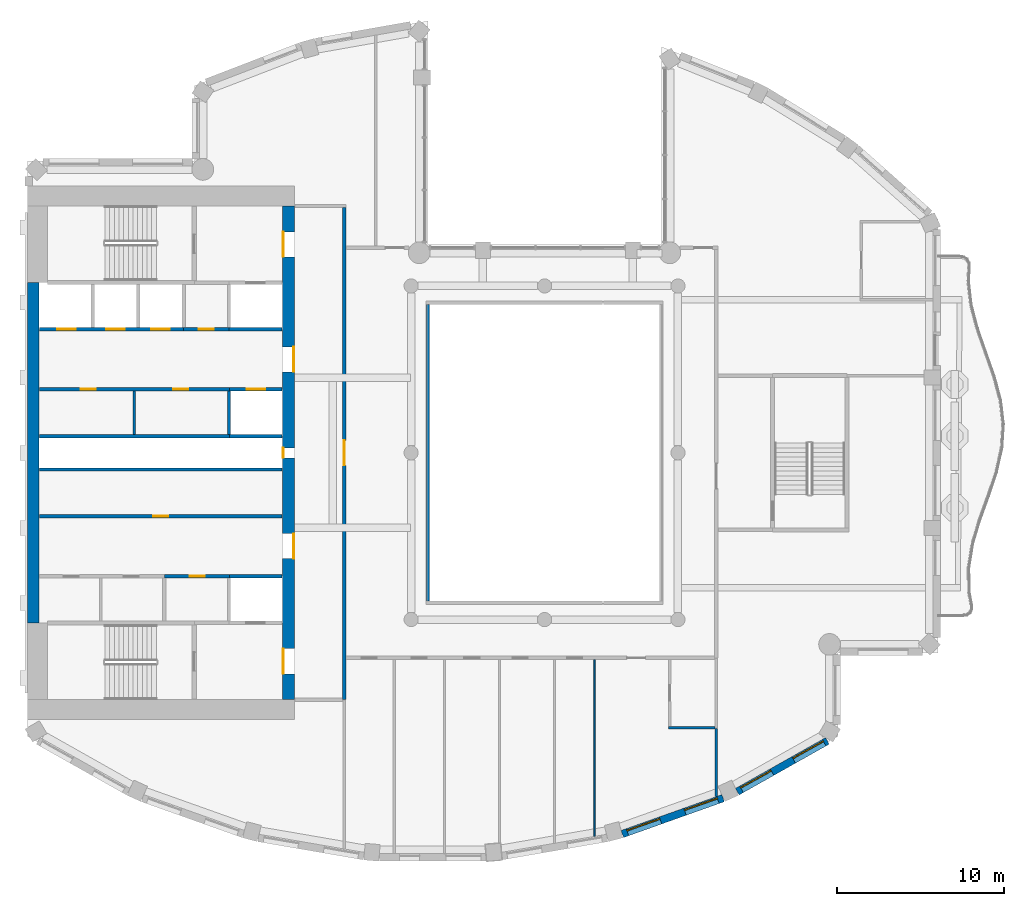
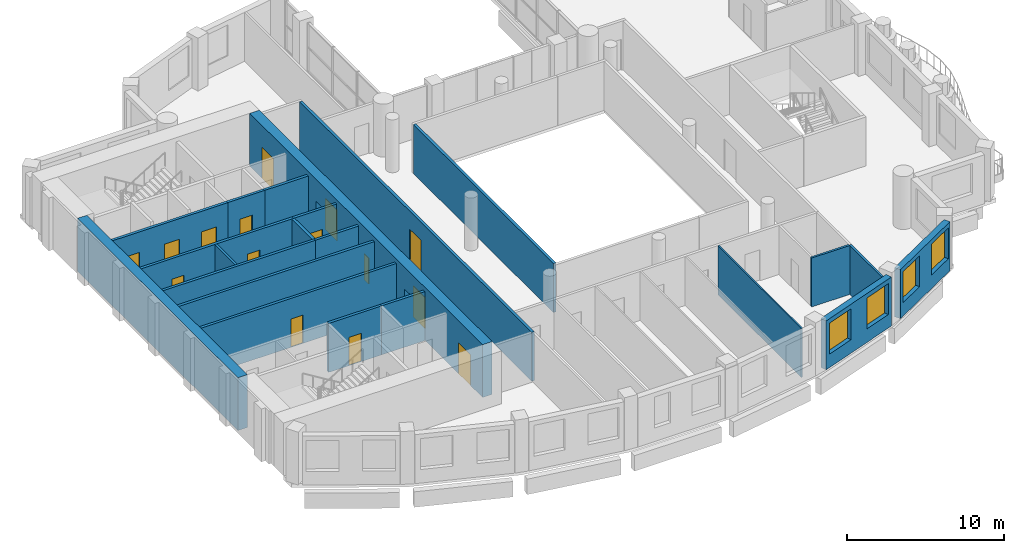
# One storey, part 5 of 14: 22 walls, 15 doors, 4 windows, 19 openings.
"""IFC4 building model written with IfcOpenShell, lengths in metres."""

from ifc_helpers import new_model, si_unit, direction, frame, frame_2d, origin, place, context, subcontext, project, spatial, rectangle, extrude, material, layer, layer_set, type_object, element, fill, save


model = new_model("IFC4")

# Units and contexts
model_context = context("Model", 3, precision=1e-05, world=origin(), true_north=direction((0.0, 1.0)))
body_context = subcontext(model_context, "Body", "Model", "MODEL_VIEW")
ifc_project = project(units=[si_unit("LENGTHUNIT", "METRE"), si_unit("AREAUNIT", "SQUARE_METRE"), si_unit("VOLUMEUNIT", "CUBIC_METRE"), si_unit("PLANEANGLEUNIT", "RADIAN"), si_unit("MASSUNIT", "GRAM", prefix="KILO")], contexts=[model_context])

# Site, building, storey
site_placement = place(None, origin())
site = spatial("IfcSite", under=ifc_project, at=site_placement, CompositionType="ELEMENT")
building_placement = place(site_placement, origin())
building = spatial("IfcBuilding", under=site, at=building_placement, Name="Cypress Arch Tower", CompositionType="ELEMENT")
storey_placement = place(building_placement, frame((0.0, 0.0, 304.89990234375)))
storey = spatial("IfcBuildingStorey", under=building, at=storey_placement, Name="L69", CompositionType="ELEMENT", Elevation=304.89990234375)

# Wall, openings, windows
ifc_material_1 = material(Name="Brick (red buff blend)", Category="masonry")
ifc_layer_1 = layer(ifc_material_1, 0.449951171875)
ifc_layer_set_1 = layer_set([ifc_layer_1], Name="Brick pier and spandrel wall BW450")
wall_type_1 = type_object("IfcWallType", Name="Brick pier and spandrel wall BW450", PredefinedType="SOLIDWALL", material=ifc_layer_set_1)
wall_1_placement = place(storey_placement, frame((5.66455078125, -22.859375, 0.0), z_axis=(0.0, 0.0, 1.0), x_axis=(0.942108340262, 0.335308626803, 0.0)))
wall_1 = element("IfcWall", 1, at=wall_1_placement, inside=storey, type_object=wall_type_1, Name="Brick wall L69 C13.0", PredefinedType="SOLIDWALL", context=body_context, shape_type="SweptSolid", body=[
    extrude(rectangle(XDim=6.41162109375, YDim=0.449951171875, at=frame_2d((3.205810546875, 0.0))), origin(), (0.0, 0.0, 1.0), 3.800048828125),
])
opening_1_placement = place(wall_1_placement, frame((0.3271484375, 0.0, 1.050048828125)))
opening_1 = element("IfcOpeningElement", 2, at=opening_1_placement, cuts=wall_1, Name="Opening W210O", PredefinedType="OPENING", context=body_context, shape_type="SweptSolid", body=[
    extrude(rectangle(XDim=2.10009765625, YDim=2.39990234375, at=frame_2d((1.050048828125, 1.199951171875))), frame((0.0, 0.23486328125, 0.0), z_axis=(0.0, -1.0, 0.0), x_axis=(1.0, 0.0, 0.0)), (0.0, 0.0, 1.0), 0.469970703125),
])
opening_2_placement = place(wall_1_placement, frame((3.984619140625, 0.0, 1.050048828125)))
opening_2 = element("IfcOpeningElement", 3, at=opening_2_placement, cuts=wall_1, Name="Opening W210O", PredefinedType="OPENING", context=body_context, shape_type="SweptSolid", body=[
    extrude(rectangle(XDim=2.10009765625, YDim=2.39990234375, at=frame_2d((1.050048828125, 1.199951171875))), frame((0.0, 0.23486328125, 0.0), z_axis=(0.0, -1.0, 0.0), x_axis=(1.0, 0.0, 0.0)), (0.0, 0.0, 1.0), 0.469970703125),
])
ifc_material_2 = material(Name="Anodised aluminium, bronze finish, clear low-emissivity double glazing", Category="aluminium")
window_type = type_object("IfcWindowType", Name="Window Office 2100x2400", PartitioningType="SINGLE_PANEL", PredefinedType="WINDOW", material=ifc_material_2)
window_1_placement = place(opening_1_placement, origin())
window_1 = element("IfcWindow", 4, at=window_1_placement, inside=storey, type_object=window_type, Name="Window L69 C13.0.1", OverallHeight=2.39990234375, OverallWidth=2.10009765625, PartitioningType="SINGLE_PANEL", PredefinedType="WINDOW", context=body_context, shape_type="SweptSolid", body=[
    extrude(rectangle(XDim=2.10009765625, YDim=2.39990234375, at=frame_2d((1.050048828125, 1.199951171875))), frame((0.0, 0.135009765625, 0.0), z_axis=(0.0, -1.0, 0.0), x_axis=(1.0, 0.0, 0.0)), (0.0, 0.0, 1.0), 0.06005859375),
])
fill(opening_1, window_1)
window_2_placement = place(opening_2_placement, origin())
window_2 = element("IfcWindow", 5, at=window_2_placement, inside=storey, type_object=window_type, Name="Window L69 C13.0.2", OverallHeight=2.39990234375, OverallWidth=2.10009765625, PartitioningType="SINGLE_PANEL", PredefinedType="WINDOW", context=body_context, shape_type="SweptSolid", body=[
    extrude(rectangle(XDim=2.10009765625, YDim=2.39990234375, at=frame_2d((1.050048828125, 1.199951171875))), frame((0.0, 0.135009765625, 0.0), z_axis=(0.0, -1.0, 0.0), x_axis=(1.0, 0.0, 0.0)), (0.0, 0.0, 1.0), 0.06005859375),
])
fill(opening_2, window_2)

wall_2_placement = place(storey_placement, frame((12.55908203125, -20.320068359375, 0.0), z_axis=(0.0, 0.0, 1.0), x_axis=(0.871065783524, 0.491166367714, 0.0)))
wall_2 = element("IfcWall", 6, at=wall_2_placement, inside=storey, type_object=wall_type_1, Name="Brick wall L69 C14.0", PredefinedType="SOLIDWALL", context=body_context, shape_type="SweptSolid", body=[
    extrude(rectangle(XDim=6.1962890625, YDim=0.449951171875, at=frame_2d((3.09814453125, 0.0))), origin(), (0.0, 0.0, 1.0), 3.800048828125),
])
opening_3_placement = place(wall_2_placement, frame((0.29052734375, 0.0, 1.050048828125)))
opening_3 = element("IfcOpeningElement", 7, at=opening_3_placement, cuts=wall_2, Name="Opening W210O", PredefinedType="OPENING", context=body_context, shape_type="SweptSolid", body=[
    extrude(rectangle(XDim=2.10009765625, YDim=2.39990234375, at=frame_2d((1.050048828125, 1.199951171875))), frame((0.0, 0.23486328125, 0.0), z_axis=(0.0, -1.0, 0.0), x_axis=(1.0, 0.0, 0.0)), (0.0, 0.0, 1.0), 0.469970703125),
])
opening_4_placement = place(wall_2_placement, frame((3.875244140625, 0.0, 1.050048828125)))
opening_4 = element("IfcOpeningElement", 8, at=opening_4_placement, cuts=wall_2, Name="Opening W210O", PredefinedType="OPENING", context=body_context, shape_type="SweptSolid", body=[
    extrude(rectangle(XDim=2.10009765625, YDim=2.39990234375, at=frame_2d((1.050048828125, 1.199951171875))), frame((0.0, 0.23486328125, 0.0), z_axis=(0.0, -1.0, 0.0), x_axis=(1.0, 0.0, 0.0)), (0.0, 0.0, 1.0), 0.469970703125),
])
window_3_placement = place(opening_3_placement, origin())
window_3 = element("IfcWindow", 9, at=window_3_placement, inside=storey, type_object=window_type, Name="Window L69 C14.0.1", OverallHeight=2.39990234375, OverallWidth=2.10009765625, PartitioningType="SINGLE_PANEL", PredefinedType="WINDOW", context=body_context, shape_type="SweptSolid", body=[
    extrude(rectangle(XDim=2.10009765625, YDim=2.39990234375, at=frame_2d((1.050048828125, 1.199951171875))), frame((0.0, 0.135009765625, 0.0), z_axis=(0.0, -1.0, 0.0), x_axis=(1.0, 0.0, 0.0)), (0.0, 0.0, 1.0), 0.06005859375),
])
fill(opening_3, window_3)
window_4_placement = place(opening_4_placement, origin())
window_4 = element("IfcWindow", 10, at=window_4_placement, inside=storey, type_object=window_type, Name="Window L69 C14.0.2", OverallHeight=2.39990234375, OverallWidth=2.10009765625, PartitioningType="SINGLE_PANEL", PredefinedType="WINDOW", context=body_context, shape_type="SweptSolid", body=[
    extrude(rectangle(XDim=2.10009765625, YDim=2.39990234375, at=frame_2d((1.050048828125, 1.199951171875))), frame((0.0, 0.135009765625, 0.0), z_axis=(0.0, -1.0, 0.0), x_axis=(1.0, 0.0, 0.0)), (0.0, 0.0, 1.0), 0.06005859375),
])
fill(opening_4, window_4)

# Wall, openings, doors
ifc_material_3 = material(Name="Concrete C60/75", Category="concrete")
ifc_layer_2 = layer(ifc_material_3, 0.699951171875)
ifc_layer_set_2 = layer_set([ifc_layer_2], Name="Core wall CW700 C60/75")
wall_type_2 = type_object("IfcWallType", Name="Core wall CW700 C60/75", PredefinedType="SHEAR", material=ifc_layer_set_2)
wall_3_placement = place(storey_placement, frame((-14.35009765625, -14.800048828125, 0.0), z_axis=(0.0, 0.0, 1.0), x_axis=(0.0, 1.0, 0.0)))
wall_3 = element("IfcWall", 11, at=wall_3_placement, inside=storey, type_object=wall_type_2, Name="Core wall", PredefinedType="SHEAR", context=body_context, shape_type="SweptSolid", body=[
    extrude(rectangle(XDim=29.60009765625, YDim=0.699951171875, at=frame_2d((14.800048828125, 0.0))), origin(), (0.0, 0.0, 1.0), 4.10009765625),
])
opening_5_placement = place(wall_3_placement, frame((1.550048828125, 0.0, 0.0)))
opening_5 = element("IfcOpeningElement", 12, at=opening_5_placement, cuts=wall_3, Name="Opening D07", PredefinedType="OPENING", context=body_context, shape_type="SweptSolid", body=[
    extrude(rectangle(XDim=1.5, YDim=2.39990234375, at=frame_2d((0.75, 1.199951171875))), frame((0.0, 0.35986328125, 0.0), z_axis=(0.0, -1.0, 0.0), x_axis=(1.0, 0.0, 0.0)), (0.0, 0.0, 1.0), 0.719970703125),
])
opening_6_placement = place(wall_3_placement, frame((26.550048828125, 0.0, 0.0)))
opening_6 = element("IfcOpeningElement", 13, at=opening_6_placement, cuts=wall_3, Name="Opening D07", PredefinedType="OPENING", context=body_context, shape_type="SweptSolid", body=[
    extrude(rectangle(XDim=1.5, YDim=2.39990234375, at=frame_2d((0.75, 1.199951171875))), frame((0.0, 0.35986328125, 0.0), z_axis=(0.0, -1.0, 0.0), x_axis=(1.0, 0.0, 0.0)), (0.0, 0.0, 1.0), 0.719970703125),
])
opening_7_placement = place(wall_3_placement, frame((8.449951171875, 0.0, 0.0)))
opening_7 = element("IfcOpeningElement", 14, at=opening_7_placement, cuts=wall_3, Name="Opening D07", PredefinedType="OPENING", context=body_context, shape_type="SweptSolid", body=[
    extrude(rectangle(XDim=1.5, YDim=2.39990234375, at=frame_2d((0.75, 1.199951171875))), frame((0.0, 0.35986328125, 0.0), z_axis=(0.0, -1.0, 0.0), x_axis=(1.0, 0.0, 0.0)), (0.0, 0.0, 1.0), 0.719970703125),
])
opening_8_placement = place(wall_3_placement, frame((19.64990234375, 0.0, 0.0)))
opening_8 = element("IfcOpeningElement", 15, at=opening_8_placement, cuts=wall_3, Name="Opening D07", PredefinedType="OPENING", context=body_context, shape_type="SweptSolid", body=[
    extrude(rectangle(XDim=1.5, YDim=2.39990234375, at=frame_2d((0.75, 1.199951171875))), frame((0.0, 0.35986328125, 0.0), z_axis=(0.0, -1.0, 0.0), x_axis=(1.0, 0.0, 0.0)), (0.0, 0.0, 1.0), 0.719970703125),
])
opening_9_placement = place(wall_3_placement, frame((14.5, 0.0, 0.0)))
opening_9 = element("IfcOpeningElement", 16, at=opening_9_placement, cuts=wall_3, Name="Opening D08", PredefinedType="OPENING", context=body_context, shape_type="SweptSolid", body=[
    extrude(rectangle(XDim=0.60009765625, YDim=2.0, at=frame_2d((0.300048828125, 1.0))), frame((0.0, 0.35986328125, 0.0), z_axis=(0.0, -1.0, 0.0), x_axis=(1.0, 0.0, 0.0)), (0.0, 0.0, 1.0), 0.719970703125),
])
ifc_material_4 = material(Name="Steel framed glazed door, fire resisting", Category="steel")
door_type_1 = type_object("IfcDoorType", Name="Lobby door D07 1500x2400", OperationType="DOUBLE_DOOR_SINGLE_SWING", PredefinedType="DOOR", material=ifc_material_4)
door_1_placement = place(opening_5_placement, origin())
door_1 = element("IfcDoor", 17, at=door_1_placement, inside=storey, type_object=door_type_1, Name="Lobby door", OperationType="DOUBLE_DOOR_SINGLE_SWING", OverallHeight=2.39990234375, OverallWidth=1.5, PredefinedType="DOOR", context=body_context, shape_type="SweptSolid", body=[
    extrude(rectangle(XDim=1.5, YDim=2.39990234375, at=frame_2d((0.75, 1.199951171875))), frame((0.0, 0.34521484375, 0.0), z_axis=(0.0, -1.0, 0.0), x_axis=(1.0, 0.0, 0.0)), (0.0, 0.0, 1.0), 0.050048828125),
])
fill(opening_5, door_1)
door_2_placement = place(opening_6_placement, origin())
door_2 = element("IfcDoor", 18, at=door_2_placement, inside=storey, type_object=door_type_1, Name="Lobby door", OperationType="DOUBLE_DOOR_SINGLE_SWING", OverallHeight=2.39990234375, OverallWidth=1.5, PredefinedType="DOOR", context=body_context, shape_type="SweptSolid", body=[
    extrude(rectangle(XDim=1.5, YDim=2.39990234375, at=frame_2d((0.75, 1.199951171875))), frame((0.0, 0.34521484375, 0.0), z_axis=(0.0, -1.0, 0.0), x_axis=(1.0, 0.0, 0.0)), (0.0, 0.0, 1.0), 0.050048828125),
])
fill(opening_6, door_2)
door_3_placement = place(opening_7_placement, origin())
door_3 = element("IfcDoor", 19, at=door_3_placement, inside=storey, type_object=door_type_1, Name="Lobby door", OperationType="DOUBLE_DOOR_SINGLE_SWING", OverallHeight=2.39990234375, OverallWidth=1.5, PredefinedType="DOOR", context=body_context, shape_type="SweptSolid", body=[
    extrude(rectangle(XDim=1.5, YDim=2.39990234375, at=frame_2d((0.75, 1.199951171875))), frame((0.0, -0.294921875, 0.0), z_axis=(0.0, -1.0, 0.0), x_axis=(1.0, 0.0, 0.0)), (0.0, 0.0, 1.0), 0.050048828125),
])
fill(opening_7, door_3)
door_4_placement = place(opening_8_placement, origin())
door_4 = element("IfcDoor", 20, at=door_4_placement, inside=storey, type_object=door_type_1, Name="Lobby door", OperationType="DOUBLE_DOOR_SINGLE_SWING", OverallHeight=2.39990234375, OverallWidth=1.5, PredefinedType="DOOR", context=body_context, shape_type="SweptSolid", body=[
    extrude(rectangle(XDim=1.5, YDim=2.39990234375, at=frame_2d((0.75, 1.199951171875))), frame((0.0, -0.294921875, 0.0), z_axis=(0.0, -1.0, 0.0), x_axis=(1.0, 0.0, 0.0)), (0.0, 0.0, 1.0), 0.050048828125),
])
fill(opening_8, door_4)
ifc_material_5 = material(Name="Steel access door, fire resisting", Category="steel")
door_type_2 = type_object("IfcDoorType", Name="Riser access door D08 600x2000", OperationType="SINGLE_SWING_LEFT", PredefinedType="DOOR", material=ifc_material_5)
door_5_placement = place(opening_9_placement, origin())
door_5 = element("IfcDoor", 21, at=door_5_placement, inside=storey, type_object=door_type_2, Name="Riser access door", OperationType="SINGLE_SWING_RIGHT", OverallHeight=2.0, OverallWidth=0.60009765625, PredefinedType="DOOR", context=body_context, shape_type="SweptSolid", body=[
    extrude(rectangle(XDim=0.60009765625, YDim=2.0, at=frame_2d((0.300048828125, 1.0))), frame((0.0, 0.34521484375, 0.0), z_axis=(0.0, -1.0, 0.0), x_axis=(1.0, 0.0, 0.0)), (0.0, 0.0, 1.0), 0.050048828125),
])
fill(opening_9, door_5)

# Wall
wall_4_placement = place(storey_placement, frame((-29.64990234375, -10.199951171875, 0.0), z_axis=(0.0, 0.0, 1.0), x_axis=(0.0, 1.0, 0.0)))
element("IfcWall", 22, at=wall_4_placement, inside=storey, type_object=wall_type_2, Name="Core wall", PredefinedType="SHEAR", context=body_context, shape_type="SweptSolid", body=[
    extrude(rectangle(XDim=20.39990234375, YDim=0.699951171875, at=frame_2d((10.199951171875, 0.0))), origin(), (0.0, 0.0, 1.0), 4.10009765625),
])

# Wall, opening, door
ifc_material_6 = material(Name="Concrete blockwork, plastered, rated", Category="masonry")
ifc_layer_3 = layer(ifc_material_6, 0.199951171875)
ifc_layer_set_3 = layer_set([ifc_layer_3], Name="Corridor wall FW200")
wall_type_3 = type_object("IfcWallType", Name="Corridor wall FW200", PredefinedType="PARTITIONING", material=ifc_layer_set_3)
wall_5_placement = place(storey_placement, frame((-29.27001953125, -3.800048828125, 0.0), z_axis=(0.0, 0.0, 1.0), x_axis=(1.0, 0.0, 0.0)))
wall_5 = element("IfcWall", 23, at=wall_5_placement, inside=storey, type_object=wall_type_3, Name="Corridor wall", PredefinedType="PARTITIONING", context=body_context, shape_type="SweptSolid", body=[
    extrude(rectangle(XDim=14.5400390625, YDim=0.199951171875, at=frame_2d((7.27001953125, 0.0))), origin(), (0.0, 0.0, 1.0), 3.800048828125),
])
opening_10_placement = place(wall_5_placement, frame((6.800048828125, 0.0, 0.0)))
opening_10 = element("IfcOpeningElement", 24, at=opening_10_placement, cuts=wall_5, Name="Opening D05", PredefinedType="OPENING", context=body_context, shape_type="SweptSolid", body=[
    extrude(rectangle(XDim=0.89990234375, YDim=2.199951171875, at=frame_2d((0.449951171875, 1.10009765625))), frame((0.0, 0.10986328125, 0.0), z_axis=(0.0, -1.0, 0.0), x_axis=(1.0, 0.0, 0.0)), (0.0, 0.0, 1.0), 0.219970703125),
])
ifc_material_7 = material(Name="Timber flush door", Category="wood")
door_type_3 = type_object("IfcDoorType", Name="Service door D05 900x2200", OperationType="SINGLE_SWING_LEFT", PredefinedType="DOOR", material=ifc_material_7)
door_6_placement = place(opening_10_placement, origin())
door_6 = element("IfcDoor", 25, at=door_6_placement, inside=storey, type_object=door_type_3, Name="Service door", OperationType="SINGLE_SWING_LEFT", OverallHeight=2.199951171875, OverallWidth=0.89990234375, PredefinedType="DOOR", context=body_context, shape_type="SweptSolid", body=[
    extrude(rectangle(XDim=0.89990234375, YDim=2.199951171875, at=frame_2d((0.449951171875, 1.10009765625))), frame((0.0, 0.02490234375, 0.0), z_axis=(0.0, -1.0, 0.0), x_axis=(1.0, 0.0, 0.0)), (0.0, 0.0, 1.0), 0.050048828125),
])
fill(opening_10, door_6)

# Wall, openings, doors
wall_6_placement = place(storey_placement, frame((-29.27001953125, 3.800048828125, 0.0), z_axis=(0.0, 0.0, 1.0), x_axis=(1.0, 0.0, 0.0)))
wall_6 = element("IfcWall", 26, at=wall_6_placement, inside=storey, type_object=wall_type_3, Name="Corridor wall", PredefinedType="PARTITIONING", context=body_context, shape_type="SweptSolid", body=[
    extrude(rectangle(XDim=11.3701171875, YDim=0.199951171875, at=frame_2d((5.68505859375, 0.0))), origin(), (0.0, 0.0, 1.0), 3.800048828125),
])
opening_11_placement = place(wall_6_placement, frame((2.449951171875, 0.0, 0.0)))
opening_11 = element("IfcOpeningElement", 27, at=opening_11_placement, cuts=wall_6, Name="Opening D05", PredefinedType="OPENING", context=body_context, shape_type="SweptSolid", body=[
    extrude(rectangle(XDim=0.89990234375, YDim=2.199951171875, at=frame_2d((0.449951171875, 1.10009765625))), frame((0.0, 0.10986328125, 0.0), z_axis=(0.0, -1.0, 0.0), x_axis=(1.0, 0.0, 0.0)), (0.0, 0.0, 1.0), 0.219970703125),
])
opening_12_placement = place(wall_6_placement, frame((8.0, 0.0, 0.0)))
opening_12 = element("IfcOpeningElement", 28, at=opening_12_placement, cuts=wall_6, Name="Opening D05", PredefinedType="OPENING", context=body_context, shape_type="SweptSolid", body=[
    extrude(rectangle(XDim=0.89990234375, YDim=2.199951171875, at=frame_2d((0.449951171875, 1.10009765625))), frame((0.0, 0.10986328125, 0.0), z_axis=(0.0, -1.0, 0.0), x_axis=(1.0, 0.0, 0.0)), (0.0, 0.0, 1.0), 0.219970703125),
])
door_7_placement = place(opening_11_placement, origin())
door_7 = element("IfcDoor", 29, at=door_7_placement, inside=storey, type_object=door_type_3, Name="Service door", OperationType="SINGLE_SWING_LEFT", OverallHeight=2.199951171875, OverallWidth=0.89990234375, PredefinedType="DOOR", context=body_context, shape_type="SweptSolid", body=[
    extrude(rectangle(XDim=0.89990234375, YDim=2.199951171875, at=frame_2d((0.449951171875, 1.10009765625))), frame((0.0, 0.02490234375, 0.0), z_axis=(0.0, -1.0, 0.0), x_axis=(1.0, 0.0, 0.0)), (0.0, 0.0, 1.0), 0.050048828125),
])
fill(opening_11, door_7)
door_8_placement = place(opening_12_placement, origin())
door_8 = element("IfcDoor", 30, at=door_8_placement, inside=storey, type_object=door_type_3, Name="Service door", OperationType="SINGLE_SWING_RIGHT", OverallHeight=2.199951171875, OverallWidth=0.89990234375, PredefinedType="DOOR", context=body_context, shape_type="SweptSolid", body=[
    extrude(rectangle(XDim=0.89990234375, YDim=2.199951171875, at=frame_2d((0.449951171875, 1.10009765625))), frame((0.0, 0.02490234375, 0.0), z_axis=(0.0, -1.0, 0.0), x_axis=(1.0, 0.0, 0.0)), (0.0, 0.0, 1.0), 0.050048828125),
])
fill(opening_12, door_8)

# Wall, opening, door
wall_7_placement = place(storey_placement, frame((-20.639892578125, 7.39990234375, 0.0), z_axis=(0.0, 0.0, 1.0), x_axis=(1.0, 0.0, 0.0)))
wall_7 = element("IfcWall", 31, at=wall_7_placement, inside=storey, type_object=wall_type_3, Name="Corridor wall", PredefinedType="PARTITIONING", context=body_context, shape_type="SweptSolid", body=[
    extrude(rectangle(XDim=2.719970703125, YDim=0.199951171875, at=frame_2d((1.35986328125, 0.0))), origin(), (0.0, 0.0, 1.0), 3.800048828125),
])
opening_13_placement = place(wall_7_placement, frame((0.89990234375, 0.0, 0.0)))
opening_13 = element("IfcOpeningElement", 32, at=opening_13_placement, cuts=wall_7, Name="Opening D05", PredefinedType="OPENING", context=body_context, shape_type="SweptSolid", body=[
    extrude(rectangle(XDim=0.89990234375, YDim=2.199951171875, at=frame_2d((0.449951171875, 1.10009765625))), frame((0.0, 0.10986328125, 0.0), z_axis=(0.0, -1.0, 0.0), x_axis=(1.0, 0.0, 0.0)), (0.0, 0.0, 1.0), 0.219970703125),
])
door_9_placement = place(opening_13_placement, origin())
door_9 = element("IfcDoor", 33, at=door_9_placement, inside=storey, type_object=door_type_3, Name="Service door", OperationType="SINGLE_SWING_LEFT", OverallHeight=2.199951171875, OverallWidth=0.89990234375, PredefinedType="DOOR", context=body_context, shape_type="SweptSolid", body=[
    extrude(rectangle(XDim=0.89990234375, YDim=2.199951171875, at=frame_2d((0.449951171875, 1.10009765625))), frame((0.0, 0.02490234375, 0.0), z_axis=(0.0, -1.0, 0.0), x_axis=(1.0, 0.0, 0.0)), (0.0, 0.0, 1.0), 0.050048828125),
])
fill(opening_13, door_9)

wall_8_placement = place(storey_placement, frame((-11.0, -14.800048828125, 0.0), z_axis=(0.0, 0.0, 1.0), x_axis=(0.0, 1.0, 0.0)))
wall_8 = element("IfcWall", 34, at=wall_8_placement, inside=storey, type_object=wall_type_3, Name="Corridor wall", PredefinedType="PARTITIONING", context=body_context, shape_type="SweptSolid", body=[
    extrude(rectangle(XDim=29.5, YDim=0.199951171875, at=frame_2d((14.75, 0.0))), origin(), (0.0, 0.0, 1.0), 3.800048828125),
])
opening_14_placement = place(wall_8_placement, frame((14.050048828125, 0.0, 0.0)))
opening_14 = element("IfcOpeningElement", 35, at=opening_14_placement, cuts=wall_8, Name="Opening D07", PredefinedType="OPENING", context=body_context, shape_type="SweptSolid", body=[
    extrude(rectangle(XDim=1.5, YDim=2.39990234375, at=frame_2d((0.75, 1.199951171875))), frame((0.0, 0.10986328125, 0.0), z_axis=(0.0, -1.0, 0.0), x_axis=(1.0, 0.0, 0.0)), (0.0, 0.0, 1.0), 0.219970703125),
])
door_10_placement = place(opening_14_placement, origin())
door_10 = element("IfcDoor", 36, at=door_10_placement, inside=storey, type_object=door_type_1, Name="Lobby door", OperationType="DOUBLE_DOOR_SINGLE_SWING", OverallHeight=2.39990234375, OverallWidth=1.5, PredefinedType="DOOR", context=body_context, shape_type="SweptSolid", body=[
    extrude(rectangle(XDim=1.5, YDim=2.39990234375, at=frame_2d((0.75, 1.199951171875))), frame((0.0, 0.02490234375, 0.0), z_axis=(0.0, -1.0, 0.0), x_axis=(1.0, 0.0, 0.0)), (0.0, 0.0, 1.0), 0.050048828125),
])
fill(opening_14, door_10)

# Walls
wall_9_placement = place(storey_placement, frame((-6.0, -8.89990234375, 0.0), z_axis=(0.0, 0.0, 1.0), x_axis=(0.0, 1.0, 0.0)))
element("IfcWall", 37, at=wall_9_placement, inside=storey, type_object=wall_type_3, Name="Corridor wall", PredefinedType="PARTITIONING", context=body_context, shape_type="SweptSolid", body=[
    extrude(rectangle(XDim=17.7998046875, YDim=0.199951171875, at=frame_2d((8.89990234375, 0.0))), origin(), (0.0, 0.0, 1.0), 3.800048828125),
])
ifc_material_8 = material(Name="Blockwork, plastered both sides", Category="masonry")
ifc_layer_4 = layer(ifc_material_8, 0.14990234375)
ifc_layer_set_4 = layer_set([ifc_layer_4], Name="Partition PW150")
wall_type_4 = type_object("IfcWallType", Name="Partition PW150", PredefinedType="PARTITIONING", material=ifc_layer_set_4)
wall_10_placement = place(storey_placement, frame((-23.60009765625, 1.10009765625, 0.0), z_axis=(0.0, 0.0, 1.0), x_axis=(0.0, 1.0, 0.0)))
element("IfcWall", 38, at=wall_10_placement, inside=storey, type_object=wall_type_4, Name="Partition", PredefinedType="PARTITIONING", context=body_context, shape_type="SweptSolid", body=[
    extrude(rectangle(XDim=2.599853515625, YDim=0.14990234375, at=frame_2d((1.2998046875, 0.0))), origin(), (0.0, 0.0, 1.0), 3.800048828125),
])
wall_11_placement = place(storey_placement, frame((8.427001953125, -16.5, 0.0), z_axis=(0.0, 0.0, 1.0), x_axis=(1.0, 0.0, 0.0)))
element("IfcWall", 39, at=wall_11_placement, inside=storey, type_object=wall_type_4, Name="Partition", PredefinedType="PARTITIONING", context=body_context, shape_type="SweptSolid", body=[
    extrude(rectangle(XDim=2.798095703125, YDim=0.14990234375, at=frame_2d((1.39892578125, 0.0))), origin(), (0.0, 0.0, 1.0), 3.800048828125),
])
wall_12_placement = place(storey_placement, frame((11.300048828125, -20.61474609375, 0.0), z_axis=(0.0, 0.0, 1.0), x_axis=(0.0, 1.0, 0.0)))
element("IfcWall", 40, at=wall_12_placement, inside=storey, type_object=wall_type_4, Name="Partition", PredefinedType="PARTITIONING", context=body_context, shape_type="SweptSolid", body=[
    extrude(rectangle(XDim=4.0947265625, YDim=0.14990234375, at=frame_2d((2.04736328125, 0.0))), origin(), (0.0, 0.0, 1.0), 3.800048828125),
])
ifc_material_9 = material(Name="Reinforced blockwork, plastered, rated", Category="masonry")
ifc_layer_5 = layer(ifc_material_9, 0.199951171875)
ifc_layer_set_5 = layer_set([ifc_layer_5], Name="Plant and riser wall PL200")
wall_type_5 = type_object("IfcWallType", Name="Plant and riser wall PL200", PredefinedType="PARTITIONING", material=ifc_layer_set_5)
wall_13_placement = place(storey_placement, frame((-29.27001953125, -1.0, 0.0), z_axis=(0.0, 0.0, 1.0), x_axis=(1.0, 0.0, 0.0)))
element("IfcWall", 41, at=wall_13_placement, inside=storey, type_object=wall_type_5, Name="Plant and riser wall", PredefinedType="PARTITIONING", context=body_context, shape_type="SweptSolid", body=[
    extrude(rectangle(XDim=14.5400390625, YDim=0.199951171875, at=frame_2d((7.27001953125, 0.0))), origin(), (0.0, 0.0, 1.0), 3.800048828125),
])
wall_14_placement = place(storey_placement, frame((-29.27001953125, 1.0, 0.0), z_axis=(0.0, 0.0, 1.0), x_axis=(1.0, 0.0, 0.0)))
element("IfcWall", 42, at=wall_14_placement, inside=storey, type_object=wall_type_5, Name="Plant and riser wall", PredefinedType="PARTITIONING", context=body_context, shape_type="SweptSolid", body=[
    extrude(rectangle(XDim=11.3701171875, YDim=0.199951171875, at=frame_2d((5.68505859375, 0.0))), origin(), (0.0, 0.0, 1.0), 3.800048828125),
])

# Wall, opening, door
wall_15_placement = place(storey_placement, frame((-21.780029296875, -7.39990234375, 0.0), z_axis=(0.0, 0.0, 1.0), x_axis=(1.0, 0.0, 0.0)))
wall_15 = element("IfcWall", 43, at=wall_15_placement, inside=storey, type_object=wall_type_5, Name="Plant and riser wall", PredefinedType="PARTITIONING", context=body_context, shape_type="SweptSolid", body=[
    extrude(rectangle(XDim=3.880126953125, YDim=0.199951171875, at=frame_2d((1.93994140625, 0.0))), origin(), (0.0, 0.0, 1.0), 3.800048828125),
])
opening_15_placement = place(wall_15_placement, frame((1.5, 0.0, 0.0)))
opening_15 = element("IfcOpeningElement", 44, at=opening_15_placement, cuts=wall_15, Name="Opening D05", PredefinedType="OPENING", context=body_context, shape_type="SweptSolid", body=[
    extrude(rectangle(XDim=0.89990234375, YDim=2.199951171875, at=frame_2d((0.449951171875, 1.10009765625))), frame((0.0, 0.10986328125, 0.0), z_axis=(0.0, -1.0, 0.0), x_axis=(1.0, 0.0, 0.0)), (0.0, 0.0, 1.0), 0.219970703125),
])
door_11_placement = place(opening_15_placement, origin())
door_11 = element("IfcDoor", 45, at=door_11_placement, inside=storey, type_object=door_type_3, Name="Service door", OperationType="SINGLE_SWING_LEFT", OverallHeight=2.199951171875, OverallWidth=0.89990234375, PredefinedType="DOOR", context=body_context, shape_type="SweptSolid", body=[
    extrude(rectangle(XDim=0.89990234375, YDim=2.199951171875, at=frame_2d((0.449951171875, 1.10009765625))), frame((0.0, 0.02490234375, 0.0), z_axis=(0.0, -1.0, 0.0), x_axis=(1.0, 0.0, 0.0)), (0.0, 0.0, 1.0), 0.050048828125),
])
fill(opening_15, door_11)

# Wall, openings, doors
ifc_material_10 = material(Name="Concrete C50/60", Category="concrete")
ifc_layer_6 = layer(ifc_material_10, 0.199951171875)
ifc_layer_set_6 = layer_set([ifc_layer_6], Name="Shaft wall SH200")
wall_type_6 = type_object("IfcWallType", Name="Shaft wall SH200", PredefinedType="SHEAR", material=ifc_layer_set_6)
wall_16_placement = place(storey_placement, frame((-29.27001953125, 7.39990234375, 0.0), z_axis=(0.0, 0.0, 1.0), x_axis=(1.0, 0.0, 0.0)))
wall_16 = element("IfcWall", 46, at=wall_16_placement, inside=storey, type_object=wall_type_6, Name="Shaft wall", PredefinedType="SHEAR", context=body_context, shape_type="SweptSolid", body=[
    extrude(rectangle(XDim=8.630126953125, YDim=0.199951171875, at=frame_2d((4.31494140625, 0.0))), origin(), (0.0, 0.0, 1.0), 3.800048828125),
])
opening_16_placement = place(wall_16_placement, frame((1.050048828125, 0.0, 0.0)))
opening_16 = element("IfcOpeningElement", 47, at=opening_16_placement, cuts=wall_16, Name="Opening LD-HR5", PredefinedType="OPENING", context=body_context, shape_type="SweptSolid", body=[
    extrude(rectangle(XDim=1.10009765625, YDim=2.199951171875, at=frame_2d((0.550048828125, 1.10009765625))), frame((0.0, 0.10986328125, 0.0), z_axis=(0.0, -1.0, 0.0), x_axis=(1.0, 0.0, 0.0)), (0.0, 0.0, 1.0), 0.219970703125),
])
opening_17_placement = place(wall_16_placement, frame((4.0, 0.0, 0.0)))
opening_17 = element("IfcOpeningElement", 48, at=opening_17_placement, cuts=wall_16, Name="Opening LD-HR6", PredefinedType="OPENING", context=body_context, shape_type="SweptSolid", body=[
    extrude(rectangle(XDim=1.10009765625, YDim=2.199951171875, at=frame_2d((0.550048828125, 1.10009765625))), frame((0.0, 0.10986328125, 0.0), z_axis=(0.0, -1.0, 0.0), x_axis=(1.0, 0.0, 0.0)), (0.0, 0.0, 1.0), 0.219970703125),
])
opening_18_placement = place(wall_16_placement, frame((6.699951171875, 0.0, 0.0)))
opening_18 = element("IfcOpeningElement", 49, at=opening_18_placement, cuts=wall_16, Name="Opening LD-HR7", PredefinedType="OPENING", context=body_context, shape_type="SweptSolid", body=[
    extrude(rectangle(XDim=1.10009765625, YDim=2.199951171875, at=frame_2d((0.550048828125, 1.10009765625))), frame((0.0, 0.10986328125, 0.0), z_axis=(0.0, -1.0, 0.0), x_axis=(1.0, 0.0, 0.0)), (0.0, 0.0, 1.0), 0.219970703125),
])
ifc_material_11 = material(Name="Stainless steel centre-opening landing door, rated", Category="steel")
door_type_4 = type_object("IfcDoorType", Name="Lift landing door LD 1100x2200", OperationType="DOUBLE_DOOR_SLIDING", PredefinedType="DOOR", material=ifc_material_11)
door_12_placement = place(opening_16_placement, origin())
door_12 = element("IfcDoor", 50, at=door_12_placement, inside=storey, type_object=door_type_4, Name="Lift landing doors HR5", OperationType="DOUBLE_DOOR_SLIDING", OverallHeight=2.199951171875, OverallWidth=1.10009765625, PredefinedType="DOOR", context=body_context, shape_type="SweptSolid", body=[
    extrude(rectangle(XDim=1.10009765625, YDim=2.199951171875, at=frame_2d((0.550048828125, 1.10009765625))), frame((0.0, 0.02490234375, 0.0), z_axis=(0.0, -1.0, 0.0), x_axis=(1.0, 0.0, 0.0)), (0.0, 0.0, 1.0), 0.050048828125),
])
fill(opening_16, door_12)
door_13_placement = place(opening_17_placement, origin())
door_13 = element("IfcDoor", 51, at=door_13_placement, inside=storey, type_object=door_type_4, Name="Lift landing doors HR6", OperationType="DOUBLE_DOOR_SLIDING", OverallHeight=2.199951171875, OverallWidth=1.10009765625, PredefinedType="DOOR", context=body_context, shape_type="SweptSolid", body=[
    extrude(rectangle(XDim=1.10009765625, YDim=2.199951171875, at=frame_2d((0.550048828125, 1.10009765625))), frame((0.0, 0.02490234375, 0.0), z_axis=(0.0, -1.0, 0.0), x_axis=(1.0, 0.0, 0.0)), (0.0, 0.0, 1.0), 0.050048828125),
])
fill(opening_17, door_13)
door_14_placement = place(opening_18_placement, origin())
door_14 = element("IfcDoor", 52, at=door_14_placement, inside=storey, type_object=door_type_4, Name="Lift landing doors HR7", OperationType="DOUBLE_DOOR_SLIDING", OverallHeight=2.199951171875, OverallWidth=1.10009765625, PredefinedType="DOOR", context=body_context, shape_type="SweptSolid", body=[
    extrude(rectangle(XDim=1.10009765625, YDim=2.199951171875, at=frame_2d((0.550048828125, 1.10009765625))), frame((0.0, 0.02490234375, 0.0), z_axis=(0.0, -1.0, 0.0), x_axis=(1.0, 0.0, 0.0)), (0.0, 0.0, 1.0), 0.050048828125),
])
fill(opening_18, door_14)

# Walls
wall_17_placement = place(storey_placement, frame((-17.89990234375, -7.39990234375, 0.0), z_axis=(0.0, 0.0, 1.0), x_axis=(1.0, 0.0, 0.0)))
element("IfcWall", 53, at=wall_17_placement, inside=storey, type_object=wall_type_6, Name="Shaft wall", PredefinedType="SHEAR", context=body_context, shape_type="SweptSolid", body=[
    extrude(rectangle(XDim=3.169921875, YDim=0.199951171875, at=frame_2d((1.5849609375, 0.0))), origin(), (0.0, 0.0, 1.0), 3.800048828125),
])
wall_18_placement = place(storey_placement, frame((-17.919921875, 1.10009765625, 0.0), z_axis=(0.0, 0.0, 1.0), x_axis=(0.0, 1.0, 0.0)))
element("IfcWall", 54, at=wall_18_placement, inside=storey, type_object=wall_type_6, Name="Shaft wall", PredefinedType="SHEAR", context=body_context, shape_type="SweptSolid", body=[
    extrude(rectangle(XDim=2.599853515625, YDim=0.199951171875, at=frame_2d((1.2998046875, 0.0))), origin(), (0.0, 0.0, 1.0), 3.800048828125),
])
wall_19_placement = place(storey_placement, frame((-17.89990234375, 1.0, 0.0), z_axis=(0.0, 0.0, 1.0), x_axis=(1.0, 0.0, 0.0)))
element("IfcWall", 55, at=wall_19_placement, inside=storey, type_object=wall_type_6, Name="Shaft wall", PredefinedType="SHEAR", context=body_context, shape_type="SweptSolid", body=[
    extrude(rectangle(XDim=3.169921875, YDim=0.199951171875, at=frame_2d((1.5849609375, 0.0))), origin(), (0.0, 0.0, 1.0), 3.800048828125),
])

# Wall, opening, door
wall_20_placement = place(storey_placement, frame((-17.89990234375, 3.800048828125, 0.0), z_axis=(0.0, 0.0, 1.0), x_axis=(1.0, 0.0, 0.0)))
wall_20 = element("IfcWall", 56, at=wall_20_placement, inside=storey, type_object=wall_type_6, Name="Shaft wall", PredefinedType="SHEAR", context=body_context, shape_type="SweptSolid", body=[
    extrude(rectangle(XDim=3.169921875, YDim=0.199951171875, at=frame_2d((1.5849609375, 0.0))), origin(), (0.0, 0.0, 1.0), 3.800048828125),
])
opening_19_placement = place(wall_20_placement, frame((1.050048828125, 0.0, 0.0)))
opening_19 = element("IfcOpeningElement", 57, at=opening_19_placement, cuts=wall_20, Name="Opening LD-HR4", PredefinedType="OPENING", context=body_context, shape_type="SweptSolid", body=[
    extrude(rectangle(XDim=1.10009765625, YDim=2.199951171875, at=frame_2d((0.550048828125, 1.10009765625))), frame((0.0, 0.10986328125, 0.0), z_axis=(0.0, -1.0, 0.0), x_axis=(1.0, 0.0, 0.0)), (0.0, 0.0, 1.0), 0.219970703125),
])
door_15_placement = place(opening_19_placement, origin())
door_15 = element("IfcDoor", 58, at=door_15_placement, inside=storey, type_object=door_type_4, Name="Lift landing doors HR4", OperationType="DOUBLE_DOOR_SLIDING", OverallHeight=2.199951171875, OverallWidth=1.10009765625, PredefinedType="DOOR", context=body_context, shape_type="SweptSolid", body=[
    extrude(rectangle(XDim=1.10009765625, YDim=2.199951171875, at=frame_2d((0.550048828125, 1.10009765625))), frame((0.0, 0.02490234375, 0.0), z_axis=(0.0, -1.0, 0.0), x_axis=(1.0, 0.0, 0.0)), (0.0, 0.0, 1.0), 0.050048828125),
])
fill(opening_19, door_15)

# Walls
wall_21_placement = place(storey_placement, frame((-17.919921875, 7.39990234375, 0.0), z_axis=(0.0, 0.0, 1.0), x_axis=(1.0, 0.0, 0.0)))
element("IfcWall", 59, at=wall_21_placement, inside=storey, type_object=wall_type_6, Name="Shaft wall", PredefinedType="SHEAR", context=body_context, shape_type="SweptSolid", body=[
    extrude(rectangle(XDim=3.18994140625, YDim=0.199951171875, at=frame_2d((1.594970703125, 0.0))), origin(), (0.0, 0.0, 1.0), 3.800048828125),
])
ifc_material_12 = material(Name="Moisture resistant board on steel studs, tiled", Category="steel")
ifc_layer_7 = layer(ifc_material_12, 0.10009765625)
ifc_layer_set_7 = layer_set([ifc_layer_7], Name="Wet wall PW100")
wall_type_7 = type_object("IfcWallType", Name="Wet wall PW100", PredefinedType="PARTITIONING", material=ifc_layer_set_7)
wall_22_placement = place(storey_placement, frame((4.0009765625, -22.9990234375, 0.0), z_axis=(0.0, 0.0, 1.0), x_axis=(0.0, 1.0, 0.0)))
element("IfcWall", 60, at=wall_22_placement, inside=storey, type_object=wall_type_7, Name="Wet wall", PredefinedType="PARTITIONING", context=body_context, shape_type="SweptSolid", body=[
    extrude(rectangle(XDim=10.59912109375, YDim=0.10009765625, at=frame_2d((5.299560546875, 0.0))), origin(), (0.0, 0.0, 1.0), 3.800048828125),
])

save(model, "model.ifc")
